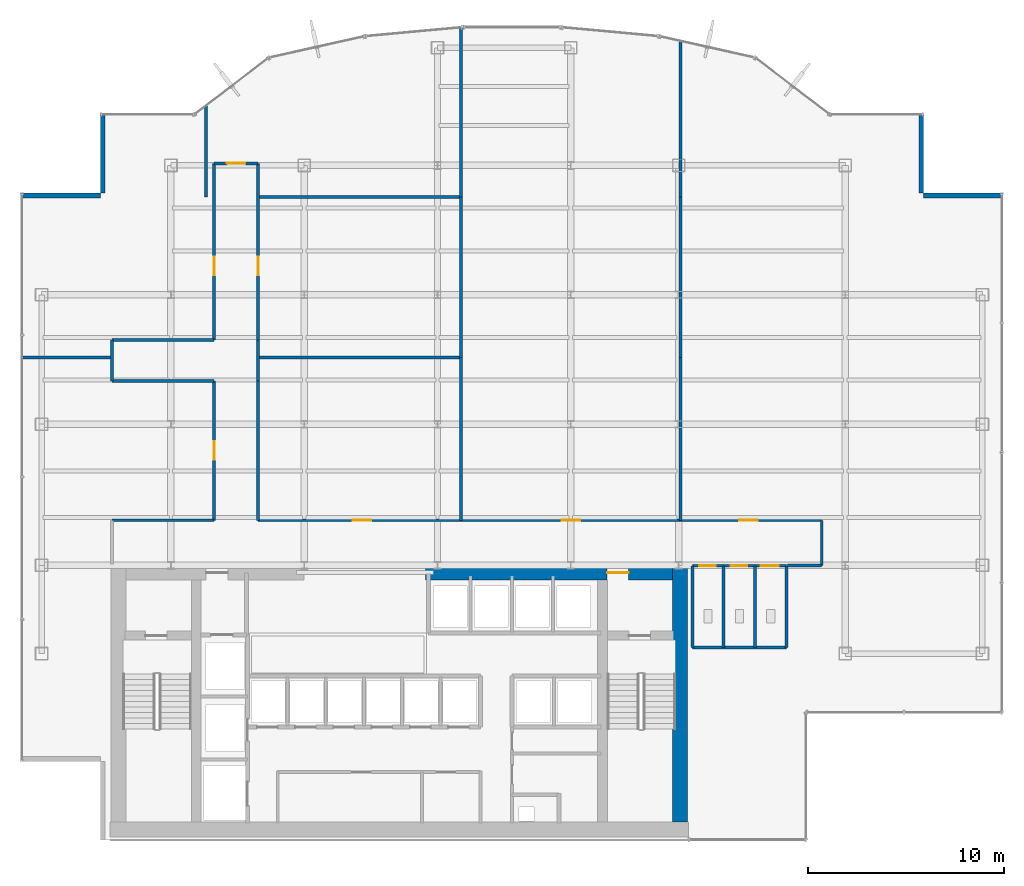
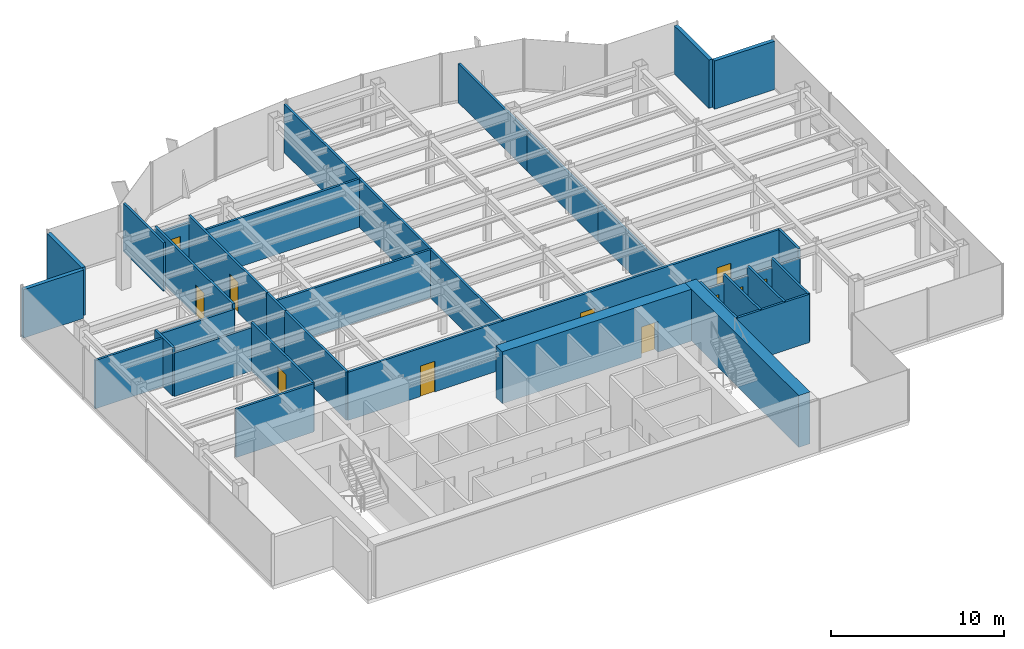
# One storey, part 21 of 25: 35 walls, 11 doors, 11 openings.
"""IFC4 building model written with IfcOpenShell, lengths in metres."""

from ifc_helpers import new_model, si_unit, derived_unit, direction, frame, frame_2d, origin, place, context, subcontext, project, spatial, rectangle, extrude, source, transform, mapped, material, layer, layer_set, type_object, element, fill, save


model = new_model("IFC4")

# Units and contexts
model_context = context("Model", 3, precision=1e-05, world=origin(), true_north=direction((0.0, 1.0)))
body_context = subcontext(model_context, "Body", "Model", "MODEL_VIEW")
ifc_project = project(units=[si_unit("LENGTHUNIT", "METRE"), si_unit("AREAUNIT", "SQUARE_METRE"), si_unit("VOLUMEUNIT", "CUBIC_METRE"), si_unit("PLANEANGLEUNIT", "RADIAN"), si_unit("MASSUNIT", "GRAM", prefix="KILO"), derived_unit("THERMALTRANSMITTANCEUNIT", [(si_unit("POWERUNIT", "WATT"), 1), (si_unit("LENGTHUNIT", "METRE"), -2), (si_unit("THERMODYNAMICTEMPERATUREUNIT", "KELVIN"), -1)])], contexts=[model_context])

# Site, building, storey
site_placement = place(None, origin())
site = spatial("IfcSite", under=ifc_project, at=site_placement, CompositionType="ELEMENT")
building_placement = place(site_placement, origin())
building = spatial("IfcBuilding", under=site, at=building_placement, Name="Skarnbrae Concourse Arena and Tower", CompositionType="ELEMENT")
storey_placement = place(building_placement, frame((0.0, 0.0, 169.800048828125)))
storey = spatial("IfcBuildingStorey", under=building, at=storey_placement, Name="L43", CompositionType="ELEMENT", Elevation=169.800048828125)

# Wall
ifc_material_1 = material(Name="Concrete 60 MPa (C60/75)", Category="concrete")
ifc_layer_1 = layer(ifc_material_1, 0.75)
ifc_layer_set_1 = layer_set([ifc_layer_1], Name="Concrete 60 MPa (C60/75)")
wall_type_1 = type_object("IfcWallType", Name="WALL-CORE-750-C60", PredefinedType="SHEAR", material=ifc_layer_set_1)
shared_shape_1 = source(origin(), body_context, "Body", "SweptSolid", [
    extrude(rectangle(XDim=13.10009765625, YDim=0.75, at=frame_2d((6.550048828125, 0.0))), origin(), (0.0, 0.0, 1.0), 3.64990234375),
])
wall_1_placement = place(storey_placement, frame((33.574951171875, 0.89990234375, 0.0), z_axis=(0.0, 0.0, 1.0), x_axis=(0.0, 1.0, 0.0)))
element("IfcWall", 1, at=wall_1_placement, inside=storey, type_object=wall_type_1, Name="L43 Rear core shear wall CW-E", PredefinedType="SHEAR", context=body_context, shape_type="MappedRepresentation", body=[
    mapped(shared_shape_1, transform((0.0, 0.0, 0.0))),
])

# Wall, opening, door
shared_shape_2 = source(origin(), body_context, "Body", "SweptSolid", [
    extrude(rectangle(XDim=12.599853515625, YDim=0.75, at=frame_2d((6.2998046875, 0.0))), origin(), (0.0, 0.0, 1.0), 3.64990234375),
])
wall_2_placement = place(storey_placement, frame((20.60009765625, 13.625, 0.0), z_axis=(0.0, 0.0, 1.0), x_axis=(1.0, 0.0, 0.0)))
wall_2 = element("IfcWall", 2, at=wall_2_placement, inside=storey, type_object=wall_type_1, Name="L43 Rear core shear wall CW-NE", PredefinedType="SHEAR", context=body_context, shape_type="MappedRepresentation", body=[
    mapped(shared_shape_2, transform((0.0, 0.0, 0.0))),
])
opening_1_placement = place(wall_2_placement, frame((9.25, 0.0, 0.0)))
opening_1 = element("IfcOpeningElement", 3, at=opening_1_placement, cuts=wall_2, Name="Opening DT-03", PredefinedType="OPENING", context=body_context, shape_type="SweptSolid", body=[
    extrude(rectangle(XDim=1.10009765625, YDim=2.14990234375, at=frame_2d((0.550048828125, 1.074951171875))), frame((0.0, 0.385009765625, 0.0), z_axis=(0.0, -1.0, 0.0), x_axis=(1.0, 0.0, 0.0)), (0.0, 0.0, 1.0), 0.77001953125),
])
ifc_material_2 = material(Name="Steel CSA G40.21 350W", Category="steel")
door_type_1 = type_object("IfcDoorType", Name="DOOR-FIRE-1100-90M", OperationType="NOTDEFINED", PredefinedType="DOOR", material=ifc_material_2)
shared_shape_3 = source(origin(), body_context, "Body", "SweptSolid", [
    extrude(rectangle(XDim=1.10009765625, YDim=2.14990234375, at=frame_2d((0.550048828125, 1.074951171875))), frame((0.0, 0.02490234375, 0.0), z_axis=(0.0, -1.0, 0.0), x_axis=(1.0, 0.0, 0.0)), (0.0, 0.0, 1.0), 0.050048828125),
])
door_1_placement = place(opening_1_placement, origin())
door_1 = element("IfcDoor", 4, at=door_1_placement, inside=storey, type_object=door_type_1, Name="D-1324 Stair ST-2 Vestibule Door", OperationType="SINGLE_SWING_LEFT", OverallHeight=2.14990234375, OverallWidth=1.10009765625, PredefinedType="DOOR", context=body_context, shape_type="MappedRepresentation", body=[
    mapped(shared_shape_3, transform((0.0, 0.0, 0.0))),
])
fill(opening_1, door_1)

# Walls
ifc_material_3 = material(Name="Precast concrete 40 MPa (C40/50)", Category="concrete")
ifc_layer_2 = layer(ifc_material_3, 0.25)
ifc_layer_set_2 = layer_set([ifc_layer_2], Name="Precast concrete 40 MPa (C40/50)")
wall_type_2 = type_object("IfcWallType", Name="WALL-EXT-SPANDREL-250", PredefinedType="STANDARD", material=ifc_layer_set_2)
shared_shape_4 = source(origin(), body_context, "Body", "SweptSolid", [
    extrude(rectangle(XDim=4.0, YDim=0.25, at=frame_2d((2.0, 0.0))), origin(), (0.0, 0.0, 1.0), 3.39990234375),
])
for number, where, z_axis, x_axis, name in (
    (5, (50.0, 32.875, 0.0), (0.0, 0.0, 1.0), (-1.0, 0.0, 0.0), "L43 Notched corner insulated return wall 05"),
    (6, (45.875, 33.0, 0.0), (0.0, 0.0, 1.0), (0.0, 1.0, 0.0), "L43 Notched corner insulated return wall 06"),
    (7, (4.125, 37.0, 0.0), (0.0, 0.0, 1.0), (0.0, -1.0, 0.0), "L43 Notched corner insulated return wall 16"),
    (8, (4.0, 32.875, 0.0), (0.0, 0.0, 1.0), (-1.0, 0.0, 0.0), "L43 Notched corner insulated return wall 17"),
):
    element("IfcWall", number, at=place(storey_placement, frame(where, z_axis=z_axis, x_axis=x_axis)), inside=storey, type_object=wall_type_2, Name=name, PredefinedType="STANDARD", context=body_context, shape_type="MappedRepresentation", body=[
        mapped(shared_shape_4, transform((0.0, 0.0, 0.0))),
    ])
ifc_material_4 = material(Name="Gypsum board on cold-formed steel studs", Category="steel")
ifc_layer_3 = layer(ifc_material_4, 0.14990234375)
ifc_layer_set_3 = layer_set([ifc_layer_3], Name="Gypsum board on cold-formed steel studs")
wall_type_3 = type_object("IfcWallType", Name="WALL-PART-150", PredefinedType="PARTITIONING", material=ifc_layer_set_3)
shared_shape_5 = source(origin(), body_context, "Body", "SweptSolid", [
    extrude(rectangle(XDim=4.800048828125, YDim=0.14990234375, at=frame_2d((2.39990234375, 0.0))), origin(), (0.0, 0.0, 1.0), 3.39990234375),
])
wall_3_placement = place(storey_placement, frame((34.199951171875, 9.800048828125, 0.0), z_axis=(0.0, 0.0, 1.0), x_axis=(1.0, 0.0, 0.0)))
element("IfcWall", 9, at=wall_3_placement, inside=storey, type_object=wall_type_3, Name="L43 Interior partition wall W-L43-WC-S", PredefinedType="PARTITIONING", context=body_context, shape_type="MappedRepresentation", body=[
    mapped(shared_shape_5, transform((0.0, 0.0, 0.0))),
])
shared_shape_6 = source(origin(), body_context, "Body", "SweptSolid", [
    extrude(rectangle(XDim=4.179931640625, YDim=0.14990234375, at=frame_2d((2.08984375, 0.0))), origin(), (0.0, 0.0, 1.0), 3.39990234375),
])
for number, where, z_axis, x_axis, name in (
    (10, (39.0, 9.800048828125, 0.0), (0.0, 0.0, 1.0), (0.0, 1.0, 0.0), "L43 Interior partition wall W-L43-WC-E"),
    (11, (34.199951171875, 9.800048828125, 0.0), (0.0, 0.0, 1.0), (0.0, 1.0, 0.0), "L43 Interior partition wall W-L43-WC-W"),
    (12, (35.800048828125, 9.800048828125, 0.0), (0.0, 0.0, 1.0), (0.0, 1.0, 0.0), "L43 Interior partition wall W-L43-WC-D1"),
    (13, (37.39990234375, 9.800048828125, 0.0), (0.0, 0.0, 1.0), (0.0, 1.0, 0.0), "L43 Interior partition wall W-L43-WC-D2"),
):
    element("IfcWall", number, at=place(storey_placement, frame(where, z_axis=z_axis, x_axis=x_axis)), inside=storey, type_object=wall_type_3, Name=name, PredefinedType="PARTITIONING", context=body_context, shape_type="MappedRepresentation", body=[
        mapped(shared_shape_6, transform((0.0, 0.0, 0.0))),
    ])
shared_shape_7 = source(origin(), body_context, "Body", "SweptSolid", [
    extrude(rectangle(XDim=10.349853515625, YDim=0.14990234375, at=frame_2d((5.1748046875, 0.0))), origin(), (0.0, 0.0, 1.0), 3.39990234375),
])
for number, where, z_axis, x_axis, name in (
    (14, (12.050048828125, 24.60009765625, 0.0), (0.0, 0.0, 1.0), (1.0, 0.0, 0.0), "L43 Interior partition wall W-L43-DEM-17"),
    (15, (22.39990234375, 32.800048828125, 0.0), (0.0, 0.0, 1.0), (-1.0, 0.0, 0.0), "L43 Interior partition wall W-L43-DEM-18"),
):
    element("IfcWall", number, at=place(storey_placement, frame(where, z_axis=z_axis, x_axis=x_axis)), inside=storey, type_object=wall_type_3, Name=name, PredefinedType="PARTITIONING", context=body_context, shape_type="MappedRepresentation", body=[
        mapped(shared_shape_7, transform((0.0, 0.0, 0.0))),
    ])
ifc_layer_4 = layer(ifc_material_4, 0.14990234375)
ifc_layer_set_4 = layer_set([ifc_layer_4], Name="Gypsum board on cold-formed steel studs")
wall_type_4 = type_object("IfcWallType", Name="WALL-PART-150-1HR", PredefinedType="PARTITIONING", material=ifc_layer_set_4)
shared_shape_8 = source(origin(), body_context, "Body", "SweptSolid", [
    extrude(rectangle(XDim=2.10009765625, YDim=0.14990234375, at=frame_2d((1.050048828125, 0.0))), origin(), (0.0, 0.0, 1.0), 3.39990234375),
])
for number, where, z_axis, x_axis, name in (
    (16, (4.60009765625, 23.39990234375, 0.0), (0.0, 0.0, 1.0), (0.0, 1.0, 0.0), "L43 Interior partition wall W-L43-COR-05"),
    (17, (12.050048828125, 25.5, 0.0), (0.0, 0.0, 1.0), (0.0, -1.0, 0.0), "L43 Interior partition wall W-L43-COR-10"),
):
    element("IfcWall", number, at=place(storey_placement, frame(where, z_axis=z_axis, x_axis=x_axis)), inside=storey, type_object=wall_type_4, Name=name, PredefinedType="PARTITIONING", context=body_context, shape_type="MappedRepresentation", body=[
        mapped(shared_shape_8, transform((0.0, 0.0, 0.0))),
    ])
shared_shape_9 = source(origin(), body_context, "Body", "SweptSolid", [
    extrude(rectangle(XDim=2.300048828125, YDim=0.14990234375, at=frame_2d((1.14990234375, 0.0))), origin(), (0.0, 0.0, 1.0), 3.39990234375),
])
wall_4_placement = place(storey_placement, frame((40.800048828125, 16.300048828125, 0.0), z_axis=(0.0, 0.0, 1.0), x_axis=(0.0, -1.0, 0.0)))
element("IfcWall", 18, at=wall_4_placement, inside=storey, type_object=wall_type_4, Name="L43 Interior partition wall W-L43-COR-13", PredefinedType="PARTITIONING", context=body_context, shape_type="MappedRepresentation", body=[
    mapped(shared_shape_9, transform((0.0, 0.0, 0.0))),
])
shared_shape_10 = source(origin(), body_context, "Body", "SweptSolid", [
    extrude(rectangle(XDim=4.580078125, YDim=0.14990234375, at=frame_2d((2.2900390625, 0.0))), origin(), (0.0, 0.0, 1.0), 3.39990234375),
])
wall_5_placement = place(storey_placement, frame((0.02001953125, 24.60009765625, 0.0), z_axis=(0.0, 0.0, 1.0), x_axis=(1.0, 0.0, 0.0)))
element("IfcWall", 19, at=wall_5_placement, inside=storey, type_object=wall_type_3, Name="L43 Interior partition wall W-L43-DEM-15", PredefinedType="PARTITIONING", context=body_context, shape_type="MappedRepresentation", body=[
    mapped(shared_shape_10, transform((0.0, 0.0, 0.0))),
])

# Wall, openings, doors
shared_shape_11 = source(origin(), body_context, "Body", "SweptSolid", [
    extrude(rectangle(XDim=4.800048828125, YDim=0.14990234375, at=frame_2d((2.39990234375, 0.0))), origin(), (0.0, 0.0, 1.0), 2.760009765625),
])
wall_6_placement = place(storey_placement, frame((34.199951171875, 13.97998046875, 0.0), z_axis=(0.0, 0.0, 1.0), x_axis=(1.0, 0.0, 0.0)))
wall_6 = element("IfcWall", 20, at=wall_6_placement, inside=storey, type_object=wall_type_3, Name="L43 Interior partition wall W-L43-WC-N", PredefinedType="PARTITIONING", context=body_context, shape_type="MappedRepresentation", body=[
    mapped(shared_shape_11, transform((0.0, 0.0, 0.0))),
])
opening_2_placement = place(wall_6_placement, frame((0.35009765625, 0.0, 0.0)))
opening_2 = element("IfcOpeningElement", 21, at=opening_2_placement, cuts=wall_6, Name="Opening DT-06", PredefinedType="OPENING", context=body_context, shape_type="SweptSolid", body=[
    extrude(rectangle(XDim=0.85009765625, YDim=2.10009765625, at=frame_2d((0.425048828125, 1.050048828125))), frame((0.0, 0.0849609375, 0.0), z_axis=(0.0, -1.0, 0.0), x_axis=(1.0, 0.0, 0.0)), (0.0, 0.0, 1.0), 0.169921875),
])
opening_3_placement = place(wall_6_placement, frame((1.949951171875, 0.0, 0.0)))
opening_3 = element("IfcOpeningElement", 22, at=opening_3_placement, cuts=wall_6, Name="Opening DT-06", PredefinedType="OPENING", context=body_context, shape_type="SweptSolid", body=[
    extrude(rectangle(XDim=0.85009765625, YDim=2.10009765625, at=frame_2d((0.425048828125, 1.050048828125))), frame((0.0, 0.0849609375, 0.0), z_axis=(0.0, -1.0, 0.0), x_axis=(1.0, 0.0, 0.0)), (0.0, 0.0, 1.0), 0.169921875),
])
opening_4_placement = place(wall_6_placement, frame((3.5, 0.0, 0.0)))
opening_4 = element("IfcOpeningElement", 23, at=opening_4_placement, cuts=wall_6, Name="Opening DT-05", PredefinedType="OPENING", context=body_context, shape_type="SweptSolid", body=[
    extrude(rectangle(XDim=0.89990234375, YDim=2.10009765625, at=frame_2d((0.449951171875, 1.050048828125))), frame((0.0, 0.0849609375, 0.0), z_axis=(0.0, -1.0, 0.0), x_axis=(1.0, 0.0, 0.0)), (0.0, 0.0, 1.0), 0.169921875),
])
ifc_material_5 = material(Name="Architectural oak veneer timber leaf", Category="wood")
door_type_2 = type_object("IfcDoorType", Name="DOOR-INT-850", OperationType="NOTDEFINED", PredefinedType="DOOR", material=ifc_material_5)
shared_shape_12 = source(origin(), body_context, "Body", "SweptSolid", [
    extrude(rectangle(XDim=0.85009765625, YDim=2.10009765625, at=frame_2d((0.425048828125, 1.050048828125))), frame((0.0, 0.02490234375, 0.0), z_axis=(0.0, -1.0, 0.0), x_axis=(1.0, 0.0, 0.0)), (0.0, 0.0, 1.0), 0.050048828125),
])
door_2_placement = place(opening_2_placement, frame((0.85009765625, 0.0, 0.0), z_axis=(0.0, 0.0, 1.0), x_axis=(-1.0, 0.0, 0.0)))
door_2 = element("IfcDoor", 24, at=door_2_placement, inside=storey, type_object=door_type_2, Name="D-1338 Male Washroom Door", OperationType="SINGLE_SWING_LEFT", OverallHeight=2.10009765625, OverallWidth=0.85009765625, PredefinedType="DOOR", context=body_context, shape_type="MappedRepresentation", body=[
    mapped(shared_shape_12, transform((0.0, 0.0, 0.0))),
])
fill(opening_2, door_2)
door_3_placement = place(opening_3_placement, frame((0.85009765625, 0.0, 0.0), z_axis=(0.0, 0.0, 1.0), x_axis=(-1.0, 0.0, 0.0)))
door_3 = element("IfcDoor", 25, at=door_3_placement, inside=storey, type_object=door_type_2, Name="D-1339 Female Washroom Door", OperationType="SINGLE_SWING_RIGHT", OverallHeight=2.10009765625, OverallWidth=0.85009765625, PredefinedType="DOOR", context=body_context, shape_type="MappedRepresentation", body=[
    mapped(shared_shape_12, transform((0.0, 0.0, 0.0))),
])
fill(opening_3, door_3)
door_type_3 = type_object("IfcDoorType", Name="DOOR-INT-900", OperationType="NOTDEFINED", PredefinedType="DOOR", material=ifc_material_5)
shared_shape_13 = source(origin(), body_context, "Body", "SweptSolid", [
    extrude(rectangle(XDim=0.89990234375, YDim=2.10009765625, at=frame_2d((0.449951171875, 1.050048828125))), frame((0.0, 0.02490234375, 0.0), z_axis=(0.0, -1.0, 0.0), x_axis=(1.0, 0.0, 0.0)), (0.0, 0.0, 1.0), 0.050048828125),
])
door_4_placement = place(opening_4_placement, frame((0.89990234375, 0.0, 0.0), z_axis=(0.0, 0.0, 1.0), x_axis=(-1.0, 0.0, 0.0)))
door_4 = element("IfcDoor", 26, at=door_4_placement, inside=storey, type_object=door_type_3, Name="D-1340 Accessible WC Door", OperationType="SINGLE_SWING_LEFT", OverallHeight=2.10009765625, OverallWidth=0.89990234375, PredefinedType="DOOR", context=body_context, shape_type="MappedRepresentation", body=[
    mapped(shared_shape_13, transform((0.0, 0.0, 0.0))),
])
fill(opening_4, door_4)

# Wall
shared_shape_14 = source(origin(), body_context, "Body", "SweptSolid", [
    extrude(rectangle(XDim=5.199951171875, YDim=0.14990234375, at=frame_2d((2.60009765625, 0.0))), origin(), (0.0, 0.0, 1.0), 3.39990234375),
])
wall_7_placement = place(storey_placement, frame((4.60009765625, 16.300048828125, 0.0), z_axis=(0.0, 0.0, 1.0), x_axis=(1.0, 0.0, 0.0)))
element("IfcWall", 27, at=wall_7_placement, inside=storey, type_object=wall_type_4, Name="L43 Interior partition wall W-L43-COR-02", PredefinedType="PARTITIONING", context=body_context, shape_type="MappedRepresentation", body=[
    mapped(shared_shape_14, transform((0.0, 0.0, 0.0))),
])

# Wall, opening, door
shared_shape_15 = source(origin(), body_context, "Body", "SweptSolid", [
    extrude(rectangle(XDim=7.099853515625, YDim=0.14990234375, at=frame_2d((3.5498046875, 0.0))), origin(), (0.0, 0.0, 1.0), 3.39990234375),
])
wall_8_placement = place(storey_placement, frame((9.800048828125, 16.300048828125, 0.0), z_axis=(0.0, 0.0, 1.0), x_axis=(0.0, 1.0, 0.0)))
wall_8 = element("IfcWall", 28, at=wall_8_placement, inside=storey, type_object=wall_type_4, Name="L43 Interior partition wall W-L43-COR-03", PredefinedType="PARTITIONING", context=body_context, shape_type="MappedRepresentation", body=[
    mapped(shared_shape_15, transform((0.0, 0.0, 0.0))),
])
opening_5_placement = place(wall_8_placement, frame((3.074951171875, 0.0, 0.0)))
opening_5 = element("IfcOpeningElement", 29, at=opening_5_placement, cuts=wall_8, Name="Opening DT-04", PredefinedType="OPENING", context=body_context, shape_type="SweptSolid", body=[
    extrude(rectangle(XDim=0.949951171875, YDim=2.14990234375, at=frame_2d((0.47509765625, 1.074951171875))), frame((0.0, 0.0849609375, 0.0), z_axis=(0.0, -1.0, 0.0), x_axis=(1.0, 0.0, 0.0)), (0.0, 0.0, 1.0), 0.169921875),
])
door_type_4 = type_object("IfcDoorType", Name="DOOR-INT-950-45M", OperationType="NOTDEFINED", PredefinedType="DOOR", material=ifc_material_2)
shared_shape_16 = source(origin(), body_context, "Body", "SweptSolid", [
    extrude(rectangle(XDim=0.949951171875, YDim=2.14990234375, at=frame_2d((0.47509765625, 1.074951171875))), frame((0.0, 0.02490234375, 0.0), z_axis=(0.0, -1.0, 0.0), x_axis=(1.0, 0.0, 0.0)), (0.0, 0.0, 1.0), 0.050048828125),
])
door_5_placement = place(opening_5_placement, origin())
door_5 = element("IfcDoor", 30, at=door_5_placement, inside=storey, type_object=door_type_4, Name="D-1341 L43 Suite Door 01", OperationType="SINGLE_SWING_LEFT", OverallHeight=2.14990234375, OverallWidth=0.949951171875, PredefinedType="DOOR", context=body_context, shape_type="MappedRepresentation", body=[
    mapped(shared_shape_16, transform((0.0, 0.0, 0.0))),
])
fill(opening_5, door_5)

# Walls
wall_9_placement = place(storey_placement, frame((12.050048828125, 23.39990234375, 0.0), z_axis=(0.0, 0.0, 1.0), x_axis=(0.0, -1.0, 0.0)))
element("IfcWall", 31, at=wall_9_placement, inside=storey, type_object=wall_type_4, Name="L43 Interior partition wall W-L43-COR-11", PredefinedType="PARTITIONING", context=body_context, shape_type="MappedRepresentation", body=[
    mapped(shared_shape_15, transform((0.0, 0.0, 0.0))),
])
shared_shape_17 = source(origin(), body_context, "Body", "SweptSolid", [
    extrude(rectangle(XDim=5.199951171875, YDim=0.14990234375, at=frame_2d((2.60009765625, 0.0))), origin(), (0.0, 0.0, 1.0), 3.041015625),
])
for number, where, z_axis, x_axis, name in (
    (32, (9.800048828125, 23.39990234375, 0.0), (0.0, 0.0, 1.0), (-1.0, 0.0, 0.0), "L43 Interior partition wall W-L43-COR-04"),
    (33, (4.60009765625, 25.5, 0.0), (0.0, 0.0, 1.0), (1.0, 0.0, 0.0), "L43 Interior partition wall W-L43-COR-06"),
):
    element("IfcWall", number, at=place(storey_placement, frame(where, z_axis=z_axis, x_axis=x_axis)), inside=storey, type_object=wall_type_4, Name=name, PredefinedType="PARTITIONING", context=body_context, shape_type="MappedRepresentation", body=[
        mapped(shared_shape_17, transform((0.0, 0.0, 0.0))),
    ])

# Wall, opening, door
shared_shape_18 = source(origin(), body_context, "Body", "SweptSolid", [
    extrude(rectangle(XDim=9.0, YDim=0.14990234375, at=frame_2d((4.5, 0.0))), origin(), (0.0, 0.0, 1.0), 3.39990234375),
])
wall_10_placement = place(storey_placement, frame((9.800048828125, 25.5, 0.0), z_axis=(0.0, 0.0, 1.0), x_axis=(0.0, 1.0, 0.0)))
wall_10 = element("IfcWall", 34, at=wall_10_placement, inside=storey, type_object=wall_type_4, Name="L43 Interior partition wall W-L43-COR-07", PredefinedType="PARTITIONING", context=body_context, shape_type="MappedRepresentation", body=[
    mapped(shared_shape_18, transform((0.0, 0.0, 0.0))),
])
opening_6_placement = place(wall_10_placement, frame((3.304931640625, 0.0, 0.0)))
opening_6 = element("IfcOpeningElement", 35, at=opening_6_placement, cuts=wall_10, Name="Opening DT-04", PredefinedType="OPENING", context=body_context, shape_type="SweptSolid", body=[
    extrude(rectangle(XDim=0.949951171875, YDim=2.14990234375, at=frame_2d((0.47509765625, 1.074951171875))), frame((0.0, 0.0849609375, 0.0), z_axis=(0.0, -1.0, 0.0), x_axis=(1.0, 0.0, 0.0)), (0.0, 0.0, 1.0), 0.169921875),
])
door_6_placement = place(opening_6_placement, origin())
door_6 = element("IfcDoor", 36, at=door_6_placement, inside=storey, type_object=door_type_4, Name="D-1342 L43 Suite Door 02", OperationType="SINGLE_SWING_RIGHT", OverallHeight=2.14990234375, OverallWidth=0.949951171875, PredefinedType="DOOR", context=body_context, shape_type="MappedRepresentation", body=[
    mapped(shared_shape_16, transform((0.0, 0.0, 0.0))),
])
fill(opening_6, door_6)

wall_11_placement = place(storey_placement, frame((12.050048828125, 34.5, 0.0), z_axis=(0.0, 0.0, 1.0), x_axis=(0.0, -1.0, 0.0)))
wall_11 = element("IfcWall", 37, at=wall_11_placement, inside=storey, type_object=wall_type_4, Name="L43 Interior partition wall W-L43-COR-09", PredefinedType="PARTITIONING", context=body_context, shape_type="MappedRepresentation", body=[
    mapped(shared_shape_18, transform((0.0, 0.0, 0.0))),
])
opening_7_placement = place(wall_11_placement, frame((4.7451171875, 0.0, 0.0)))
opening_7 = element("IfcOpeningElement", 38, at=opening_7_placement, cuts=wall_11, Name="Opening DT-04", PredefinedType="OPENING", context=body_context, shape_type="SweptSolid", body=[
    extrude(rectangle(XDim=0.949951171875, YDim=2.14990234375, at=frame_2d((0.47509765625, 1.074951171875))), frame((0.0, 0.0849609375, 0.0), z_axis=(0.0, -1.0, 0.0), x_axis=(1.0, 0.0, 0.0)), (0.0, 0.0, 1.0), 0.169921875),
])
door_7_placement = place(opening_7_placement, origin())
door_7 = element("IfcDoor", 39, at=door_7_placement, inside=storey, type_object=door_type_4, Name="D-1345 L43 Suite Door 05", OperationType="SINGLE_SWING_LEFT", OverallHeight=2.14990234375, OverallWidth=0.949951171875, PredefinedType="DOOR", context=body_context, shape_type="MappedRepresentation", body=[
    mapped(shared_shape_16, transform((0.0, 0.0, 0.0))),
])
fill(opening_7, door_7)

shared_shape_19 = source(origin(), body_context, "Body", "SweptSolid", [
    extrude(rectangle(XDim=2.25, YDim=0.14990234375, at=frame_2d((1.125, 0.0))), origin(), (0.0, 0.0, 1.0), 2.931884765625),
])
wall_12_placement = place(storey_placement, frame((9.800048828125, 34.5, 0.0), z_axis=(0.0, 0.0, 1.0), x_axis=(1.0, 0.0, 0.0)))
wall_12 = element("IfcWall", 40, at=wall_12_placement, inside=storey, type_object=wall_type_4, Name="L43 Interior partition wall W-L43-COR-08", PredefinedType="PARTITIONING", context=body_context, shape_type="MappedRepresentation", body=[
    mapped(shared_shape_19, transform((0.0, 0.0, 0.0))),
])
opening_8_placement = place(wall_12_placement, frame((0.64990234375, 0.0, 0.0)))
opening_8 = element("IfcOpeningElement", 41, at=opening_8_placement, cuts=wall_12, Name="Opening DT-04", PredefinedType="OPENING", context=body_context, shape_type="SweptSolid", body=[
    extrude(rectangle(XDim=0.949951171875, YDim=2.14990234375, at=frame_2d((0.47509765625, 1.074951171875))), frame((0.0, 0.0849609375, 0.0), z_axis=(0.0, -1.0, 0.0), x_axis=(1.0, 0.0, 0.0)), (0.0, 0.0, 1.0), 0.169921875),
])
door_8_placement = place(opening_8_placement, origin())
door_8 = element("IfcDoor", 42, at=door_8_placement, inside=storey, type_object=door_type_4, Name="D-1343 L43 Suite Door 03", OperationType="SINGLE_SWING_LEFT", OverallHeight=2.14990234375, OverallWidth=0.949951171875, PredefinedType="DOOR", context=body_context, shape_type="MappedRepresentation", body=[
    mapped(shared_shape_16, transform((0.0, 0.0, 0.0))),
])
fill(opening_8, door_8)

# Wall, openings, doors
shared_shape_20 = source(origin(), body_context, "Body", "SweptSolid", [
    extrude(rectangle(XDim=28.75, YDim=0.14990234375, at=frame_2d((14.375, 0.0))), origin(), (0.0, 0.0, 1.0), 3.39990234375),
])
wall_13_placement = place(storey_placement, frame((12.050048828125, 16.300048828125, 0.0), z_axis=(0.0, 0.0, 1.0), x_axis=(1.0, 0.0, 0.0)))
wall_13 = element("IfcWall", 43, at=wall_13_placement, inside=storey, type_object=wall_type_4, Name="L43 Interior partition wall W-L43-COR-12", PredefinedType="PARTITIONING", context=body_context, shape_type="MappedRepresentation", body=[
    mapped(shared_shape_20, transform((0.0, 0.0, 0.0))),
])
opening_9_placement = place(wall_13_placement, frame((4.830078125, 0.0, 0.0)))
opening_9 = element("IfcOpeningElement", 44, at=opening_9_placement, cuts=wall_13, Name="Opening DT-04", PredefinedType="OPENING", context=body_context, shape_type="SweptSolid", body=[
    extrude(rectangle(XDim=0.949951171875, YDim=2.14990234375, at=frame_2d((0.47509765625, 1.074951171875))), frame((0.0, 0.0849609375, 0.0), z_axis=(0.0, -1.0, 0.0), x_axis=(1.0, 0.0, 0.0)), (0.0, 0.0, 1.0), 0.169921875),
])
opening_10_placement = place(wall_13_placement, frame((15.47509765625, 0.0, 0.0)))
opening_10 = element("IfcOpeningElement", 45, at=opening_10_placement, cuts=wall_13, Name="Opening DT-04", PredefinedType="OPENING", context=body_context, shape_type="SweptSolid", body=[
    extrude(rectangle(XDim=0.949951171875, YDim=2.14990234375, at=frame_2d((0.47509765625, 1.074951171875))), frame((0.0, 0.0849609375, 0.0), z_axis=(0.0, -1.0, 0.0), x_axis=(1.0, 0.0, 0.0)), (0.0, 0.0, 1.0), 0.169921875),
])
opening_11_placement = place(wall_13_placement, frame((24.544921875, 0.0, 0.0)))
opening_11 = element("IfcOpeningElement", 46, at=opening_11_placement, cuts=wall_13, Name="Opening DT-04", PredefinedType="OPENING", context=body_context, shape_type="SweptSolid", body=[
    extrude(rectangle(XDim=0.949951171875, YDim=2.14990234375, at=frame_2d((0.47509765625, 1.074951171875))), frame((0.0, 0.0849609375, 0.0), z_axis=(0.0, -1.0, 0.0), x_axis=(1.0, 0.0, 0.0)), (0.0, 0.0, 1.0), 0.169921875),
])
door_9_placement = place(opening_9_placement, origin())
door_9 = element("IfcDoor", 47, at=door_9_placement, inside=storey, type_object=door_type_4, Name="D-1344 L43 Suite Door 04", OperationType="SINGLE_SWING_RIGHT", OverallHeight=2.14990234375, OverallWidth=0.949951171875, PredefinedType="DOOR", context=body_context, shape_type="MappedRepresentation", body=[
    mapped(shared_shape_16, transform((0.0, 0.0, 0.0))),
])
fill(opening_9, door_9)
door_10_placement = place(opening_10_placement, origin())
door_10 = element("IfcDoor", 48, at=door_10_placement, inside=storey, type_object=door_type_4, Name="D-1346 L43 Suite Door 06", OperationType="SINGLE_SWING_RIGHT", OverallHeight=2.14990234375, OverallWidth=0.949951171875, PredefinedType="DOOR", context=body_context, shape_type="MappedRepresentation", body=[
    mapped(shared_shape_16, transform((0.0, 0.0, 0.0))),
])
fill(opening_10, door_10)
door_11_placement = place(opening_11_placement, origin())
door_11 = element("IfcDoor", 49, at=door_11_placement, inside=storey, type_object=door_type_4, Name="D-1347 L43 Suite Door 07", OperationType="SINGLE_SWING_LEFT", OverallHeight=2.14990234375, OverallWidth=0.949951171875, PredefinedType="DOOR", context=body_context, shape_type="MappedRepresentation", body=[
    mapped(shared_shape_16, transform((0.0, 0.0, 0.0))),
])
fill(opening_11, door_11)

# Walls
shared_shape_21 = source(origin(), body_context, "Body", "SweptSolid", [
    extrude(rectangle(XDim=1.75, YDim=0.14990234375, at=frame_2d((0.875, 0.0))), origin(), (0.0, 0.0, 1.0), 2.760009765625),
])
wall_14_placement = place(storey_placement, frame((40.800048828125, 14.0, 0.0), z_axis=(0.0, 0.0, 1.0), x_axis=(-1.0, 0.0, 0.0)))
element("IfcWall", 50, at=wall_14_placement, inside=storey, type_object=wall_type_4, Name="L43 Interior partition wall W-L43-COR-14", PredefinedType="PARTITIONING", context=body_context, shape_type="MappedRepresentation", body=[
    mapped(shared_shape_21, transform((0.0, 0.0, 0.0))),
])
shared_shape_22 = source(origin(), body_context, "Body", "SweptSolid", [
    extrude(rectangle(XDim=4.632568359375, YDim=0.14990234375, at=frame_2d((2.31640625, 0.0))), origin(), (0.0, 0.0, 1.0), 3.39990234375),
])
wall_15_placement = place(storey_placement, frame((9.39990234375, 37.4326171875, 0.0), z_axis=(0.0, 0.0, 1.0), x_axis=(0.0, -1.0, 0.0)))
element("IfcWall", 51, at=wall_15_placement, inside=storey, type_object=wall_type_3, Name="L43 Interior partition wall W-L43-DEM-16", PredefinedType="PARTITIONING", context=body_context, shape_type="MappedRepresentation", body=[
    mapped(shared_shape_22, transform((0.0, 0.0, 0.0))),
])
shared_shape_23 = source(origin(), body_context, "Body", "SweptSolid", [
    extrude(rectangle(XDim=8.300048828125, YDim=0.14990234375, at=frame_2d((4.14990234375, 0.0))), origin(), (0.0, 0.0, 1.0), 3.39990234375),
])
wall_16_placement = place(storey_placement, frame((22.39990234375, 24.60009765625, 0.0), z_axis=(0.0, 0.0, 1.0), x_axis=(0.0, -1.0, 0.0)))
element("IfcWall", 52, at=wall_16_placement, inside=storey, type_object=wall_type_3, Name="L43 Interior partition wall W-L43-DEM-19", PredefinedType="PARTITIONING", context=body_context, shape_type="MappedRepresentation", body=[
    mapped(shared_shape_23, transform((0.0, 0.0, 0.0))),
])
shared_shape_24 = source(origin(), body_context, "Body", "SweptSolid", [
    extrude(rectangle(XDim=8.199951171875, YDim=0.14990234375, at=frame_2d((4.10009765625, 0.0))), origin(), (0.0, 0.0, 1.0), 3.39990234375),
])
wall_17_placement = place(storey_placement, frame((22.39990234375, 32.800048828125, 0.0), z_axis=(0.0, 0.0, 1.0), x_axis=(0.0, -1.0, 0.0)))
element("IfcWall", 53, at=wall_17_placement, inside=storey, type_object=wall_type_3, Name="L43 Interior partition wall W-L43-DEM-20", PredefinedType="PARTITIONING", context=body_context, shape_type="MappedRepresentation", body=[
    mapped(shared_shape_24, transform((0.0, 0.0, 0.0))),
])
shared_shape_25 = source(origin(), body_context, "Body", "SweptSolid", [
    extrude(rectangle(XDim=8.617431640625, YDim=0.14990234375, at=frame_2d((4.30859375, 0.0))), origin(), (0.0, 0.0, 1.0), 3.39990234375),
])
wall_18_placement = place(storey_placement, frame((22.39990234375, 41.41748046875, 0.0), z_axis=(0.0, 0.0, 1.0), x_axis=(0.0, -1.0, 0.0)))
element("IfcWall", 54, at=wall_18_placement, inside=storey, type_object=wall_type_3, Name="L43 Interior partition wall W-L43-DEM-21", PredefinedType="PARTITIONING", context=body_context, shape_type="MappedRepresentation", body=[
    mapped(shared_shape_25, transform((0.0, 0.0, 0.0))),
])
shared_shape_26 = source(origin(), body_context, "Body", "SweptSolid", [
    extrude(rectangle(XDim=7.92333984375, YDim=0.14990234375, at=frame_2d((3.961669921875, 0.0))), origin(), (0.0, 0.0, 1.0), 2.760009765625),
])
wall_19_placement = place(storey_placement, frame((33.60009765625, 40.723388671875, 0.0), z_axis=(0.0, 0.0, 1.0), x_axis=(0.0, -1.0, 0.0)))
element("IfcWall", 55, at=wall_19_placement, inside=storey, type_object=wall_type_3, Name="L43 Interior partition wall W-L43-DEM-22", PredefinedType="PARTITIONING", context=body_context, shape_type="MappedRepresentation", body=[
    mapped(shared_shape_26, transform((0.0, 0.0, 0.0))),
])
shared_shape_27 = source(origin(), body_context, "Body", "SweptSolid", [
    extrude(rectangle(XDim=8.199951171875, YDim=0.14990234375, at=frame_2d((4.10009765625, 0.0))), origin(), (0.0, 0.0, 1.0), 2.760009765625),
])
wall_20_placement = place(storey_placement, frame((33.60009765625, 32.800048828125, 0.0), z_axis=(0.0, 0.0, 1.0), x_axis=(0.0, -1.0, 0.0)))
element("IfcWall", 56, at=wall_20_placement, inside=storey, type_object=wall_type_3, Name="L43 Interior partition wall W-L43-DEM-23", PredefinedType="PARTITIONING", context=body_context, shape_type="MappedRepresentation", body=[
    mapped(shared_shape_27, transform((0.0, 0.0, 0.0))),
])
shared_shape_28 = source(origin(), body_context, "Body", "SweptSolid", [
    extrude(rectangle(XDim=8.300048828125, YDim=0.14990234375, at=frame_2d((4.14990234375, 0.0))), origin(), (0.0, 0.0, 1.0), 2.760009765625),
])
wall_21_placement = place(storey_placement, frame((33.60009765625, 24.60009765625, 0.0), z_axis=(0.0, 0.0, 1.0), x_axis=(0.0, -1.0, 0.0)))
element("IfcWall", 57, at=wall_21_placement, inside=storey, type_object=wall_type_3, Name="L43 Interior partition wall W-L43-DEM-24", PredefinedType="PARTITIONING", context=body_context, shape_type="MappedRepresentation", body=[
    mapped(shared_shape_28, transform((0.0, 0.0, 0.0))),
])

save(model, "model.ifc")
